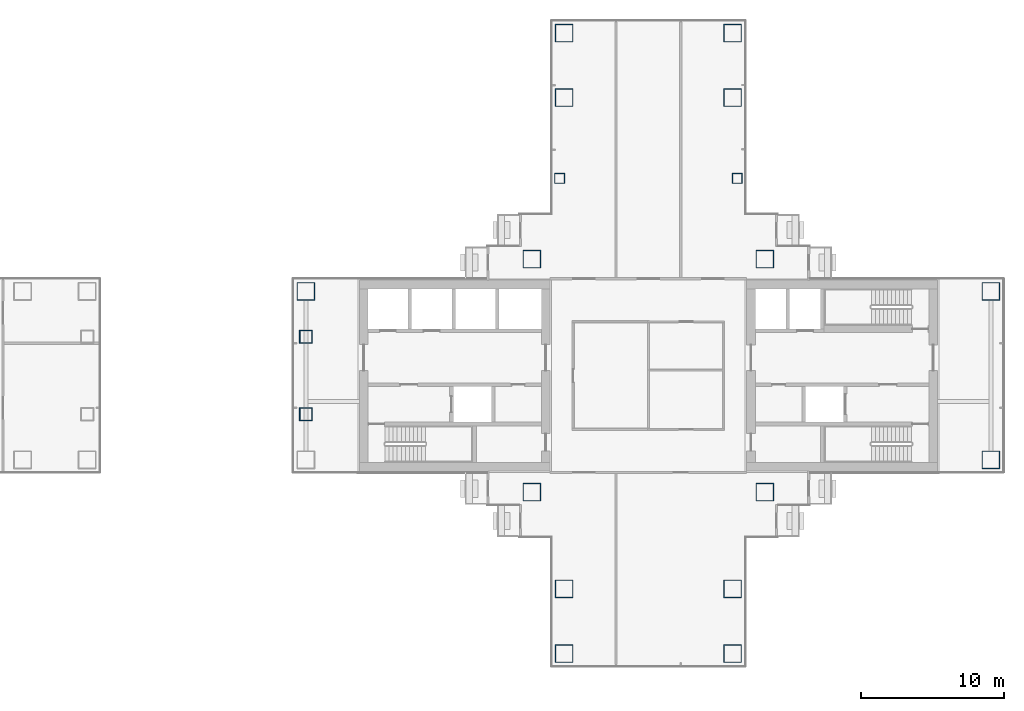
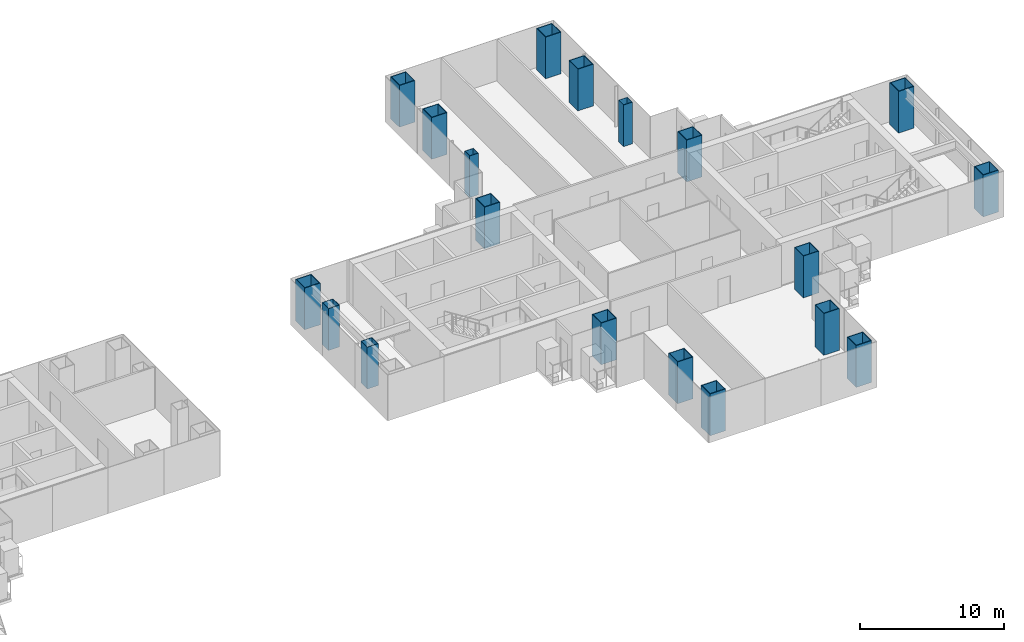
# One storey, part 2 of 20: 19 columns.
"""IFC4 building model written with IfcOpenShell, lengths in metres."""

from ifc_helpers import new_model, si_unit, direction, frame, origin, origin_2d, place, context, subcontext, project, spatial, hollow_rectangle, extrude, material, material_profile, profile_set, type_object, element, save


model = new_model("IFC4")

# Units and contexts
model_context = context("Model", 3, precision=1e-05, world=origin(), true_north=direction((0.0, 1.0)))
body_context = subcontext(model_context, "Body", "Model", "MODEL_VIEW")
ifc_project = project(units=[si_unit("LENGTHUNIT", "METRE"), si_unit("AREAUNIT", "SQUARE_METRE"), si_unit("VOLUMEUNIT", "CUBIC_METRE"), si_unit("PLANEANGLEUNIT", "RADIAN"), si_unit("MASSUNIT", "GRAM", prefix="KILO")], contexts=[model_context])

# Site, building, storey
site_placement = place(None, origin())
site = spatial("IfcSite", under=ifc_project, at=site_placement, CompositionType="ELEMENT")
building_placement = place(site_placement, origin())
building = spatial("IfcBuilding", under=site, at=building_placement, Name="Shamsa Quay Exchange Towers", CompositionType="ELEMENT")
storey_placement = place(building_placement, frame((0.0, 0.0, 120.89990234375)))
storey = spatial("IfcBuildingStorey", under=building, at=storey_placement, Name="L28", CompositionType="ELEMENT", Elevation=120.89990234375)

# Columns
ifc_material_1 = material(Name="Concrete-filled steel tube S355 / C80/95", Category="concrete")
ifc_material_profile_1 = material_profile(ifc_material_1, hollow_rectangle(XDim=1.25, YDim=1.25, WallThickness=0.050048828125, at=origin_2d()), Name="CFT 1250x1250x50")
ifc_profile_set_1 = profile_set([ifc_material_profile_1], Name="Concrete-filled steel tube S355 / C80/95")
column_type_1 = type_object("IfcColumnType", Name="Column CFT 1250x1250x50", PredefinedType="COLUMN", material=ifc_profile_set_1)
for number, where, name in (
    (1, (25.625, 8.125, 0.0), "Mega column T2-CM01"),
    (2, (41.875, 8.125, 0.0), "Mega column T2-CM02"),
    (3, (25.625, -8.125, 0.0), "Mega column T2-CM03"),
    (4, (41.875, -8.125, 0.0), "Mega column T2-CM04"),
    (5, (39.625, 19.375, 0.0), "Mega column T2-CM06"),
    (6, (39.625, 23.875, 0.0), "Mega column T2-CM07"),
    (7, (27.875, 19.375, 0.0), "Mega column T2-CM10"),
    (8, (27.875, 23.875, 0.0), "Mega column T2-CM11"),
    (9, (39.625, -14.875, 0.0), "Mega column T2-CM13"),
    (10, (39.625, -19.375, 0.0), "Mega column T2-CM14"),
    (11, (27.875, -14.875, 0.0), "Mega column T2-CM16"),
    (12, (27.875, -19.375, 0.0), "Mega column T2-CM17"),
    (13, (9.875, 5.875, 0.0), "Mega column T2-CM20"),
    (14, (57.625, -5.875, 0.0), "Mega column T2-CM21"),
    (15, (57.625, 5.875, 0.0), "Mega column T2-CM23"),
):
    element("IfcColumn", number, at=place(storey_placement, frame(where)), inside=storey, type_object=column_type_1, Name=name, PredefinedType="COLUMN", context=body_context, shape_type="SweptSolid", body=[
        extrude(hollow_rectangle(XDim=1.25, YDim=1.25, WallThickness=0.050048828125, at=origin_2d()), origin(), (0.0, 0.0, 1.0), 3.550048828125),
    ])
ifc_material_2 = material(Name="Concrete-filled steel tube S355 / C60/75", Category="concrete")
ifc_material_profile_2 = material_profile(ifc_material_2, hollow_rectangle(XDim=0.699951171875, YDim=0.699951171875, WallThickness=0.02490234375, at=origin_2d()), Name="CFT 700x700x25")
ifc_profile_set_2 = profile_set([ifc_material_profile_2], Name="Concrete-filled steel tube S355 / C60/75")
column_type_2 = type_object("IfcColumnType", Name="Column CFT 700x700x25", PredefinedType="COLUMN", material=ifc_profile_set_2)
for number, where, name in (
    (16, (39.9375, 13.75, 0.0), "Perimeter column T2-CP05"),
    (17, (27.5625, 13.75, 0.0), "Perimeter column T2-CP09"),
):
    element("IfcColumn", number, at=place(storey_placement, frame(where)), inside=storey, type_object=column_type_2, Name=name, PredefinedType="COLUMN", context=body_context, shape_type="SweptSolid", body=[
        extrude(hollow_rectangle(XDim=0.699951171875, YDim=0.699951171875, WallThickness=0.02490234375, at=origin_2d()), origin(), (0.0, 0.0, 1.0), 3.550048828125),
    ])
ifc_material_3 = material(Name="Concrete-filled steel tube S355 / C70/85", Category="concrete")
ifc_material_profile_3 = material_profile(ifc_material_3, hollow_rectangle(XDim=0.89990234375, YDim=0.89990234375, WallThickness=0.035888671875, at=origin_2d()), Name="CFT 900x900x36")
ifc_profile_set_3 = profile_set([ifc_material_profile_3], Name="Concrete-filled steel tube S355 / C70/85")
column_type_3 = type_object("IfcColumnType", Name="Landing column CFT 900x900x36", PredefinedType="COLUMN", material=ifc_profile_set_3)
for number, where, name in (
    (18, (9.875, -2.699951171875, 0.0), "Landing column T2 S"),
    (19, (9.875, 2.699951171875, 0.0), "Landing column T2 N"),
):
    element("IfcColumn", number, at=place(storey_placement, frame(where)), inside=storey, type_object=column_type_3, Name=name, PredefinedType="COLUMN", context=body_context, shape_type="SweptSolid", body=[
        extrude(hollow_rectangle(XDim=0.89990234375, YDim=0.89990234375, WallThickness=0.035888671875, at=origin_2d()), origin(), (0.0, 0.0, 1.0), 3.550048828125),
    ])

save(model, "model.ifc")
